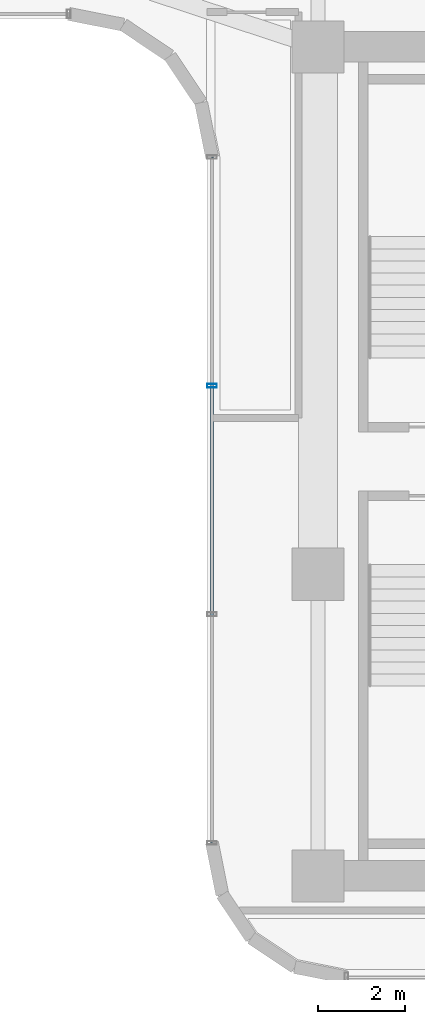
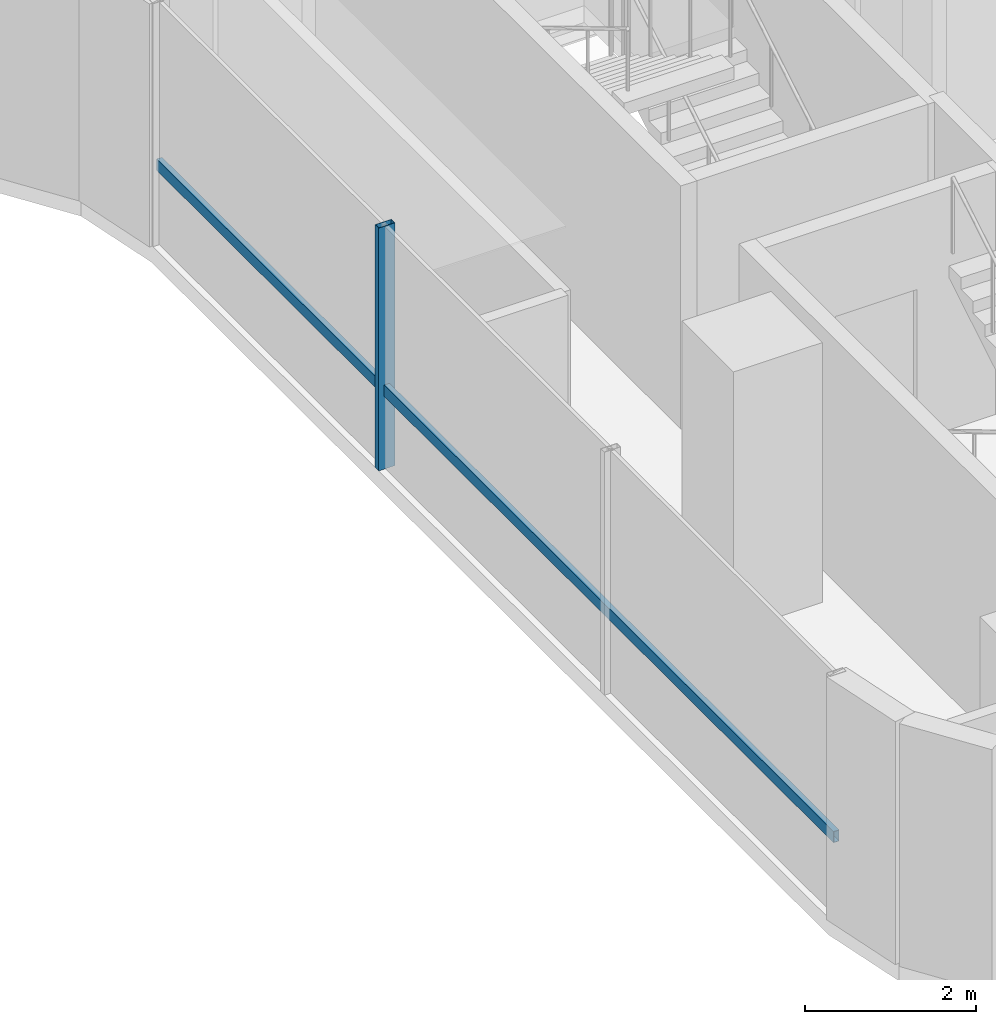
# One storey, part 13 of 34: 2 members, 1 element without a shape of its own.
"""IFC4 building model written with IfcOpenShell, lengths in metres."""

from ifc_helpers import new_model, si_unit, direction, frame, origin, origin_2d, place, context, subcontext, project, spatial, hollow_rectangle, extrude, source, transform, mapped, material, material_profile, profile_set, type_object, element, aggregate, save


model = new_model("IFC4")

# Units and contexts
model_context = context("Model", 3, precision=1e-05, world=origin(), true_north=direction((0.0, 1.0)))
body_context = subcontext(model_context, "Body", "Model", "MODEL_VIEW")
ifc_project = project(units=[si_unit("LENGTHUNIT", "METRE"), si_unit("AREAUNIT", "SQUARE_METRE"), si_unit("VOLUMEUNIT", "CUBIC_METRE"), si_unit("PLANEANGLEUNIT", "RADIAN"), si_unit("MASSUNIT", "GRAM", prefix="KILO")], contexts=[model_context])

# Site, building, storey
site_placement = place(None, origin())
site = spatial("IfcSite", under=ifc_project, at=site_placement, CompositionType="ELEMENT")
building_placement = place(site_placement, origin())
building = spatial("IfcBuilding", under=site, at=building_placement, Name="Valdorenza Pilgrim Sanctuary Tower", CompositionType="ELEMENT")
storey_placement = place(building_placement, frame((0.0, 0.0, 146.39990234375)))
storey = spatial("IfcBuildingStorey", under=building, at=storey_placement, Name="L37", CompositionType="ELEMENT", Elevation=146.39990234375)

# Curtain wall, members
ifc_material_1 = material(Name="Curtain-wall IGU glazing", Category="glass")
curtain_wall_type = type_object("IfcCurtainWallType", Name="CW-SYS-03", PredefinedType="NOTDEFINED", material=ifc_material_1)
curtain_wall_placement = place(storey_placement, origin())
curtain_wall = element("IfcCurtainWall", 1, at=curtain_wall_placement, inside=storey, type_object=curtain_wall_type, Name="L37 Curtain Wall CW-L37-1-31", PredefinedType="NOTDEFINED")
ifc_material_2 = material(Name="Anodised aluminium AW-6060", Category="aluminium")
ifc_material_profile_1 = material_profile(ifc_material_2, hollow_rectangle(XDim=0.0849609375, YDim=0.219970703125, WallThickness=0.0048828125, at=origin_2d()), Name="ALU-M 220x85x5")
ifc_profile_set_1 = profile_set([ifc_material_profile_1], Name="Anodised aluminium AW-6060")
member_type_1 = type_object("IfcMemberType", Name="CW-MUL-03", PredefinedType="MULLION", material=ifc_profile_set_1)
shared_shape_1 = source(origin(), body_context, "Body", "SweptSolid", [
    extrude(hollow_rectangle(XDim=0.0849609375, YDim=0.219970703125, WallThickness=0.0048828125, at=origin_2d()), origin(), (0.0, 0.0, 1.0), 3.460205078125),
])
member_1_placement = place(storey_placement, frame((13.409912109375, 1.744140625, 0.0), z_axis=(0.0, 0.0, 1.0), x_axis=(0.0, 1.0, 0.0)))
member_1 = element("IfcMember", 2, at=member_1_placement, type_object=member_type_1, Name="CW-L37-1-31 Mullion 3", PredefinedType="MULLION", context=body_context, shape_type="MappedRepresentation", body=[
    mapped(shared_shape_1, transform((0.0, 0.0, 0.0), x_axis=(1.0, 0.0, 0.0), y_axis=(0.0, 1.0, 0.0), z_axis=(0.0, 0.0, 1.0), scale=1.0)),
])
ifc_material_profile_2 = material_profile(ifc_material_2, hollow_rectangle(XDim=0.074951171875, YDim=0.159912109375, WallThickness=0.00390625, at=origin_2d()), Name="ALU-T 160x75x4")
ifc_profile_set_2 = profile_set([ifc_material_profile_2], Name="Anodised aluminium AW-6060")
member_type_2 = type_object("IfcMemberType", Name="CW-TRN-03", PredefinedType="USERDEFINED", material=ifc_profile_set_2)
shared_shape_2 = source(origin(), body_context, "Body", "SweptSolid", [
    extrude(hollow_rectangle(XDim=0.074951171875, YDim=0.159912109375, WallThickness=0.00390625, at=origin_2d()), origin(), (0.0, 0.0, 1.0), 15.800048828125),
])
member_2_placement = place(storey_placement, frame((13.409912109375, -8.789306640625, 1.1201171875), z_axis=(0.0, 1.0, 0.0), x_axis=(-1.0, 0.0, 0.0)))
member_2 = element("IfcMember", 3, at=member_2_placement, type_object=member_type_2, Name="CW-L37-1-31 Transom 1", ObjectType="TRANSOM", PredefinedType="USERDEFINED", context=body_context, shape_type="MappedRepresentation", body=[
    mapped(shared_shape_2, transform((0.0, 0.0, 0.0), x_axis=(1.0, 0.0, 0.0), y_axis=(0.0, 1.0, 0.0), z_axis=(0.0, 0.0, 1.0), scale=1.0)),
])
aggregate(curtain_wall, [member_1, member_2])

save(model, "model.ifc")
